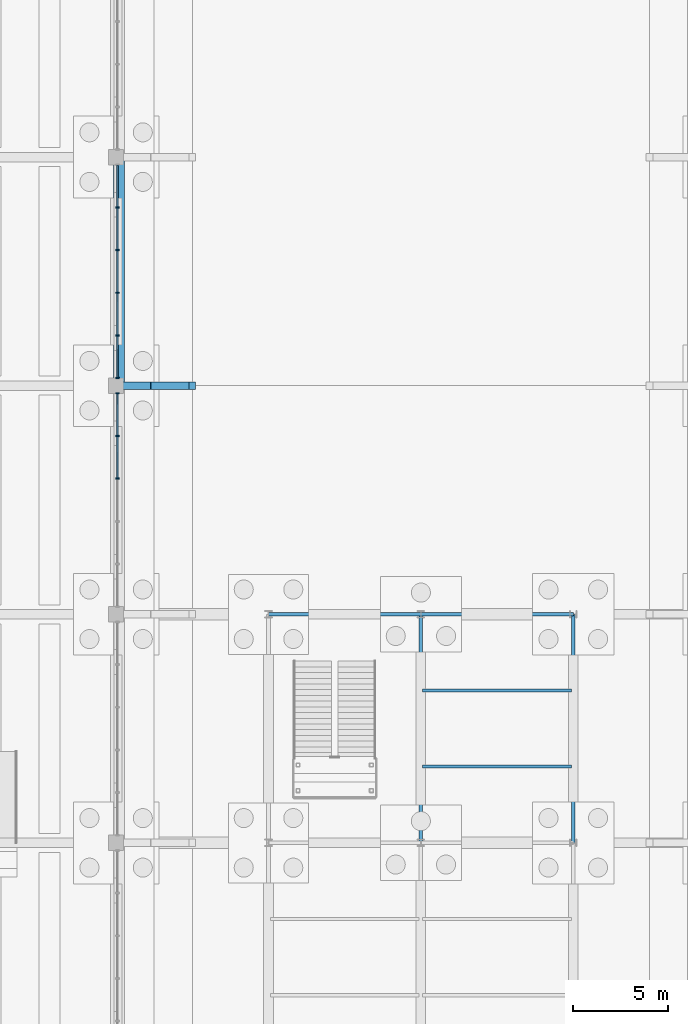
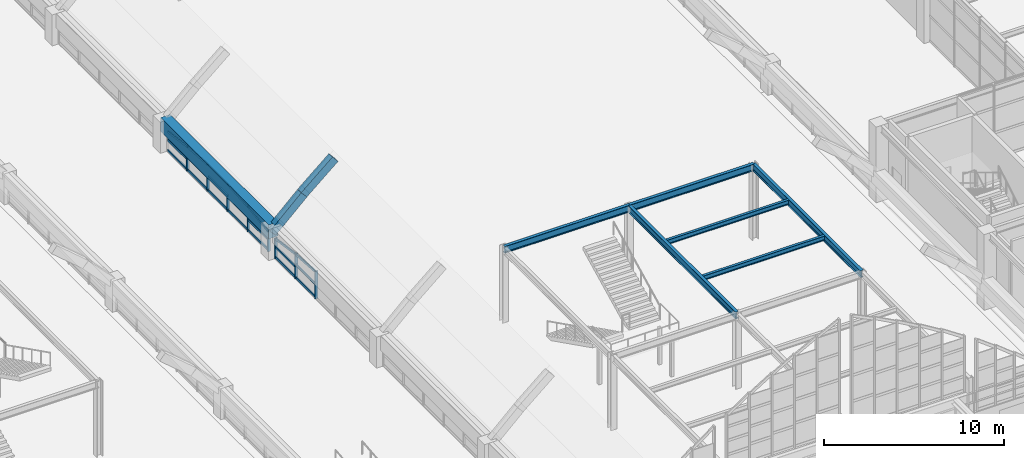
# One storey, part 45 of 129: 29 members, 9 beams, 2 elements without a shape of their own.
"""IFC4 building model written with IfcOpenShell, lengths in metres."""

import ifcopenshell
import ifcopenshell.guid

model = None  # the IFC model being written
_history = None  # IfcOwnerHistory: only IFC2X3 demands one
_inside = {}  # id of a spatial element -> (the spatial element, [elements in it])
_under = {}  # id of a project, library or spatial element -> (it, [spatial elements below it])
_declared = {}  # id of a project -> (the project, [libraries it declares])
_typed = {}  # id of a type object -> (the type object, [elements of that type])
_made_of = {}  # id of a material, layer set ... -> (it, [elements and type objects made of it])


def new_model(schema):
    """Start an empty IFC model of exactly this schema.

    Asked for "IFC4X3", IfcOpenShell would pick the latest addendum, in which some entities
    have other attributes; the version numbers below select the first issue.
    IFC2X3 requires an IfcOwnerHistory on every rooted entity: one is made here for all.
    """
    global model, _history
    if schema == "IFC4X3":
        model = ifcopenshell.file(schema_version=(4, 3, 0, 0))
    else:
        model = ifcopenshell.file(schema=schema)
    _inside.clear()
    _under.clear()
    _declared.clear()
    _typed.clear()
    _made_of.clear()
    _history = None
    if model.schema == "IFC2X3":
        org = make("IfcOrganization", Name="unknown")
        user = make(
            "IfcPersonAndOrganization",
            ThePerson=make("IfcPerson", FamilyName="unknown"),
            TheOrganization=org,
        )
        app = make(
            "IfcApplication",
            ApplicationDeveloper=org,
            Version="unknown",
            ApplicationFullName="unknown",
            ApplicationIdentifier="unknown",
        )
        _history = make(
            "IfcOwnerHistory",
            OwningUser=user,
            OwningApplication=app,
            ChangeAction="ADDED",
            CreationDate=0,
        )
    return model


def make(cls, **values):
    """One entity of the class cls with the attributes given. An attribute that is None is left unset."""
    return model.create_entity(
        cls, **{name: value for name, value in values.items() if value is not None}
    )


def rooted(cls, **values):
    """An entity with a GlobalId (a new one), such as an element, a storey or a relation."""
    return make(cls, GlobalId=ifcopenshell.guid.new(), OwnerHistory=_history, **values)


def si_unit(unit_type, name, prefix=None):
    """IfcSIUnit, for example si_unit("LENGTHUNIT", "METRE", prefix="MILLI")."""
    return make("IfcSIUnit", UnitType=unit_type, Prefix=prefix, Name=name)


def assignment(units):
    """IfcUnitAssignment: the units of a project."""
    return None if units is None else make("IfcUnitAssignment", Units=units)


def point(xyz):
    """IfcCartesianPoint."""
    return None if xyz is None else make("IfcCartesianPoint", Coordinates=xyz)


def direction(xyz):
    """IfcDirection."""
    return None if xyz is None else make("IfcDirection", DirectionRatios=xyz)


def frame(location, z_axis=None, x_axis=None):
    """IfcAxis2Placement3D, a coordinate frame: its origin and axes. An axis left out is left unset."""
    return make(
        "IfcAxis2Placement3D",
        Location=point(location),
        Axis=direction(z_axis),
        RefDirection=direction(x_axis),
    )


def frame_2d(location, x_axis=None):
    """IfcAxis2Placement2D, a coordinate frame in the plane: its origin and x axis."""
    return make(
        "IfcAxis2Placement2D", Location=point(location), RefDirection=direction(x_axis)
    )


def origin():
    """The frame at (0, 0, 0) with its axes left unset."""
    return frame((0.0, 0.0, 0.0))


def origin_2d():
    """The frame at (0, 0) in the plane with its x axis left unset."""
    return frame_2d((0.0, 0.0))


def place(relative_to, where):
    """IfcLocalPlacement: puts the frame where relative to a parent placement (None: the world)."""
    return make(
        "IfcLocalPlacement", PlacementRelTo=relative_to, RelativePlacement=where
    )


def context(
    kind, dimensions, precision=None, world=None, true_north=None, identifier=None
):
    """IfcGeometricRepresentationContext, for example the 3D "Model" context."""
    return make(
        "IfcGeometricRepresentationContext",
        ContextIdentifier=identifier,
        ContextType=kind,
        CoordinateSpaceDimension=dimensions,
        Precision=precision,
        WorldCoordinateSystem=world,
        TrueNorth=true_north,
    )


def subcontext(parent, identifier, kind, view, scale=None):
    """IfcGeometricRepresentationSubContext, for example "Body" below "Model"."""
    return make(
        "IfcGeometricRepresentationSubContext",
        ContextIdentifier=identifier,
        ContextType=kind,
        ParentContext=parent,
        TargetScale=scale,
        TargetView=view,
    )


def project(units=None, contexts=None):
    """IfcProject with its units and contexts."""
    return rooted(
        "IfcProject",
        Name="project",
        RepresentationContexts=contexts,
        UnitsInContext=assignment(units),
    )


def spatial(cls, under=None, at=None, **own):
    """A site, building, storey or space (cls), placed at a placement, below another one or the project."""
    s = rooted(cls, ObjectPlacement=at, **own)
    if under is not None:
        _under.setdefault(under.id(), (under, []))[1].append(s)
    return s


def profile(cls, at=None, kind="AREA", **sizes):
    """A parametric profile (cls). Its sizes go by their IFC names, for example OverallWidth=200.0."""
    return make(cls, ProfileType=kind, Position=at, **sizes)


def rectangle(**sizes):
    """IfcRectangleProfileDef."""
    return profile("IfcRectangleProfileDef", **sizes)


def i_section(**sizes):
    """IfcIShapeProfileDef."""
    return profile("IfcIShapeProfileDef", **sizes)


def extrude(swept, where, along, depth):
    """IfcExtrudedAreaSolid: the profile swept, set in the frame where, extruded along a direction by depth."""
    return make(
        "IfcExtrudedAreaSolid",
        SweptArea=swept,
        Position=where,
        ExtrudedDirection=direction(along),
        Depth=depth,
    )


def shape(context_of_items, identifier, shape_type, items):
    """IfcShapeRepresentation: the items that make up one representation, for example the "Body"."""
    return make(
        "IfcShapeRepresentation",
        ContextOfItems=context_of_items,
        RepresentationIdentifier=identifier,
        RepresentationType=shape_type,
        Items=items,
    )


def material(Name=None, Category=None):
    """IfcMaterial."""
    return make("IfcMaterial", Name=Name, Category=Category)


def layer(
    of_material, thickness, ventilated=None, Name=None, Category=None, Priority=None
):
    """IfcMaterialLayer: one layer of a wall or slab, of a material (None: an air gap)."""
    return make(
        "IfcMaterialLayer",
        Material=of_material,
        LayerThickness=thickness,
        IsVentilated=ventilated,
        Name=Name,
        Category=Category,
        Priority=Priority,
    )


def layer_set(layers, Name=None):
    """IfcMaterialLayerSet."""
    return make("IfcMaterialLayerSet", MaterialLayers=layers, LayerSetName=Name)


def material_profile(
    of_material, cross_section, Name=None, Category=None, Priority=None
):
    """IfcMaterialProfile: a cross section and its material."""
    return make(
        "IfcMaterialProfile",
        Name=Name,
        Material=of_material,
        Profile=cross_section,
        Priority=Priority,
        Category=Category,
    )


def profile_set(profiles, Name=None, composite=None):
    """IfcMaterialProfileSet."""
    return make(
        "IfcMaterialProfileSet",
        Name=Name,
        MaterialProfiles=profiles,
        CompositeProfile=composite,
    )


def made_of(thing, what):
    """Note that an element or type object is made of a material, layer set ...; save() writes the relation."""
    if what is not None:
        _made_of.setdefault(what.id(), (what, []))[1].append(thing)
    return thing


def type_object(cls, material=None, **own):
    """A type object (cls), such as IfcWallType, which elements share."""
    return made_of(rooted(cls, **own), material)


def element(
    cls,
    number,
    at=None,
    inside=None,
    cuts=None,
    type_object=None,
    material=None,
    context=None,
    identifier="Body",
    shape_type=None,
    held_by="IfcProductDefinitionShape",
    body=None,
    shapes=None,
    **own,
):
    """One element of the class cls, such as IfcWall. Its Tag is "e" and its number.

    at: its placement. inside: the storey or other place that contains it. cuts: it is an
    opening in that element (IfcRelVoidsElement). A single representation is given by context,
    identifier, shape_type and body (its items); several are given by shapes. held_by: the class
    of the entity that holds the representations. save() writes the other relations.
    """
    e = rooted(cls, Tag="e%d" % number, ObjectPlacement=at, **own)
    if body is not None:
        shapes = [shape(context, identifier, shape_type, body)]
    if shapes is not None:
        e.Representation = make(held_by, Representations=shapes)
    if inside is not None:
        _inside.setdefault(inside.id(), (inside, []))[1].append(e)
    if cuts is not None:
        rooted(
            "IfcRelVoidsElement", RelatingBuildingElement=cuts, RelatedOpeningElement=e
        )
    if type_object is not None:
        _typed.setdefault(type_object.id(), (type_object, []))[1].append(e)
    return made_of(e, material)


def aggregate(whole, parts):
    """IfcRelAggregates: a whole, such as a stair, and the parts it consists of."""
    return rooted("IfcRelAggregates", RelatingObject=whole, RelatedObjects=parts)


def save(model, path):
    """Write the relations noted so far, then the file.

    IfcRelAggregates (storeys below a building ...), IfcRelContainedInSpatialStructure (elements
    in a storey), IfcRelDefinesByType, IfcRelAssociatesMaterial and IfcRelDeclares: one each for
    every whole, place, type object, material and project.
    """
    for whole, parts in _under.values():
        aggregate(whole, parts)
    for where, things in _inside.values():
        rooted(
            "IfcRelContainedInSpatialStructure",
            RelatedElements=things,
            RelatingStructure=where,
        )
    for kind, things in _typed.values():
        rooted("IfcRelDefinesByType", RelatedObjects=things, RelatingType=kind)
    for what, things in _made_of.values():
        rooted("IfcRelAssociatesMaterial", RelatedObjects=things, RelatingMaterial=what)
    for by, libraries in _declared.values():
        rooted("IfcRelDeclares", RelatingContext=by, RelatedDefinitions=libraries)
    model.write(path)


model = new_model("IFC4")

# Units and contexts
model_context = context("Model", 3, precision=1e-05, world=origin(), true_north=direction((0.0, 1.0)))
body_context = subcontext(model_context, "Body", "Model", "MODEL_VIEW")
ifc_project = project(units=[si_unit("LENGTHUNIT", "METRE"), si_unit("AREAUNIT", "SQUARE_METRE"), si_unit("VOLUMEUNIT", "CUBIC_METRE"), si_unit("PLANEANGLEUNIT", "RADIAN"), si_unit("MASSUNIT", "GRAM", prefix="KILO")], contexts=[model_context])

# Site, building, storey
site_placement = place(None, origin())
site = spatial("IfcSite", under=ifc_project, at=site_placement, CompositionType="ELEMENT")
building_placement = place(site_placement, origin())
building = spatial("IfcBuilding", under=site, at=building_placement, Name="Sitalva Quay Ferry Terminal", CompositionType="ELEMENT")
storey_placement = place(building_placement, origin())
storey = spatial("IfcBuildingStorey", under=building, at=storey_placement, Name="L01", CompositionType="ELEMENT", Elevation=0.0)

# Beams
ifc_material_1 = material(Name="Concrete C40/50", Category="concrete")
ifc_material_profile_1 = material_profile(ifc_material_1, rectangle(XDim=0.39990234375, YDim=0.550048828125, at=origin_2d()), Name="RC400x550")
ifc_profile_set_1 = profile_set([ifc_material_profile_1], Name="Concrete C40/50")
beam_type_1 = type_object("IfcBeamType", Name="Beam_Arch_RC400x550", PredefinedType="BEAM", material=ifc_profile_set_1)
beam_1_placement = place(storey_placement, frame((42.0, 42.0, 1.6044921875), z_axis=(0.725680279623, 0.0, 0.688032071757), x_axis=(0.0, 1.0, 0.0)))
element("IfcBeam", 1, at=beam_1_placement, inside=storey, type_object=beam_type_1, Name="Vault V1 transverse arch rib 4.1", PredefinedType="BEAM", context=body_context, shape_type="SweptSolid", body=[
    extrude(rectangle(XDim=0.39990234375, YDim=0.550048828125, at=origin_2d()), origin(), (0.0, 0.0, 1.0), 2.756103515625),
])
beam_2_placement = place(storey_placement, frame((44.0, 42.0, 3.5107421875), z_axis=(0.760297282494, 0.0, 0.649575278342), x_axis=(0.0, 1.0, 0.0)))
element("IfcBeam", 2, at=beam_2_placement, inside=storey, type_object=beam_type_1, Name="Vault V1 transverse arch rib 4.2", PredefinedType="BEAM", context=body_context, shape_type="SweptSolid", body=[
    extrude(rectangle(XDim=0.39990234375, YDim=0.550048828125, at=origin_2d()), origin(), (0.0, 0.0, 1.0), 2.630615234375),
])
ifc_material_2 = material(Name="Concrete C40/50", Category="concrete")
ifc_material_profile_2 = material_profile(ifc_material_2, rectangle(XDim=0.60009765625, YDim=0.949951171875, at=origin_2d()), Name="RC600x950")
ifc_profile_set_2 = profile_set([ifc_material_profile_2], Name="Concrete C40/50")
beam_type_2 = type_object("IfcBeamType", Name="Beam_Edge_RC600x950", PredefinedType="BEAM", material=ifc_profile_set_2)
beam_3_placement = place(storey_placement, frame((42.14990234375, 42.0, 1.625), z_axis=(0.0, 1.0, 0.0), x_axis=(-1.0, 0.0, 0.0)))
element("IfcBeam", 3, at=beam_3_placement, inside=storey, type_object=beam_type_2, Name="Vault V1 longitudinal springing edge beam W bay 4", PredefinedType="BEAM", context=body_context, shape_type="SweptSolid", body=[
    extrude(rectangle(XDim=0.60009765625, YDim=0.949951171875, at=origin_2d()), origin(), (0.0, 0.0, 1.0), 12.0),
])
ifc_material_3 = material(Name="Structural Steel S355JR", Category="steel")
ifc_material_profile_3 = material_profile(ifc_material_3, i_section(OverallWidth=0.194091796875, OverallDepth=0.468994140625, WebThickness=0.0126953125, FlangeThickness=0.0205078125, FilletRadius=0.013916015625, at=origin_2d()), Name="W460x106")
ifc_profile_set_3 = profile_set([ifc_material_profile_3], Name="Structural Steel S355JR")
beam_type_3 = type_object("IfcBeamType", Name="Girder_W460x106", PredefinedType="USERDEFINED", material=ifc_profile_set_3)
for number, where, z_axis, x_axis, name in (
    (4, (50.0, 30.0, 4.885498046875), (1.0, 0.0, 0.0), (0.0, 1.0, 0.0), "L01 Primary X girder 0132"),
    (5, (58.0, 30.0, 4.885498046875), (1.0, 0.0, 0.0), (0.0, 1.0, 0.0), "L01 Primary X girder 0133"),
):
    element("IfcBeam", number, at=place(storey_placement, frame(where, z_axis=z_axis, x_axis=x_axis)), inside=storey, type_object=beam_type_3, Name=name, ObjectType="GIRDER", PredefinedType="USERDEFINED", context=body_context, shape_type="SweptSolid", body=[
        extrude(i_section(OverallWidth=0.194091796875, OverallDepth=0.468994140625, WebThickness=0.0126953125, FlangeThickness=0.0205078125, FilletRadius=0.013916015625, at=origin_2d()), origin(), (0.0, 0.0, 1.0), 8.0),
    ])
for number, where, z_axis, x_axis, name in (
    (6, (58.0, 18.0, 4.885498046875), (0.0, 1.0, 0.0), (-1.0, 0.0, 0.0), "L01 Primary Y girder 0137"),
    (7, (66.0, 18.0, 4.885498046875), (0.0, 1.0, 0.0), (-1.0, 0.0, 0.0), "L01 Primary Y girder 0139"),
):
    element("IfcBeam", number, at=place(storey_placement, frame(where, z_axis=z_axis, x_axis=x_axis)), inside=storey, type_object=beam_type_3, Name=name, ObjectType="GIRDER", PredefinedType="USERDEFINED", context=body_context, shape_type="SweptSolid", body=[
        extrude(i_section(OverallWidth=0.194091796875, OverallDepth=0.468994140625, WebThickness=0.0126953125, FlangeThickness=0.0205078125, FilletRadius=0.013916015625, at=origin_2d()), origin(), (0.0, 0.0, 1.0), 12.0),
    ])
ifc_material_4 = material(Name="Structural Steel S355JR", Category="steel")
ifc_material_profile_4 = material_profile(ifc_material_4, i_section(OverallWidth=0.166015625, OverallDepth=0.31298828125, WebThickness=0.006591796875, FlangeThickness=0.01123046875, FilletRadius=0.010986328125, at=origin_2d()), Name="W310x45")
ifc_profile_set_4 = profile_set([ifc_material_profile_4], Name="Structural Steel S355JR")
beam_type_4 = type_object("IfcBeamType", Name="Joist_W310x45", PredefinedType="JOIST", material=ifc_profile_set_4)
for number, where, z_axis, x_axis, name in (
    (8, (58.096923828125, 22.0, 4.96337890625), (1.0, 0.0, 0.0), (0.0, 1.0, 0.0), "L01 Secondary joist 0144"),
    (9, (58.096923828125, 26.0, 4.96337890625), (1.0, 0.0, 0.0), (0.0, 1.0, 0.0), "L01 Secondary joist 0145"),
):
    element("IfcBeam", number, at=place(storey_placement, frame(where, z_axis=z_axis, x_axis=x_axis)), inside=storey, type_object=beam_type_4, Name=name, PredefinedType="JOIST", context=body_context, shape_type="SweptSolid", body=[
        extrude(i_section(OverallWidth=0.166015625, OverallDepth=0.31298828125, WebThickness=0.006591796875, FlangeThickness=0.01123046875, FilletRadius=0.010986328125, at=origin_2d()), origin(), (0.0, 0.0, 1.0), 7.80615234375),
    ])

# Curtain wall, members
ifc_material_5 = material(Name="Anodised Aluminium & Low-E Glazing", Category="aluminium")
ifc_layer = layer(ifc_material_5, 0.159912109375)
ifc_layer_set = layer_set([ifc_layer], Name="Anodised Aluminium & Low-E Glazing")
curtain_wall_type = type_object("IfcCurtainWallType", Name="CW_VaultArch_Glazed", PredefinedType="USERDEFINED", material=ifc_layer_set)
curtain_wall_1_placement = place(storey_placement, origin())
curtain_wall_1 = element("IfcCurtainWall", 10, at=curtain_wall_1_placement, inside=storey, type_object=curtain_wall_type, Name="V1-W shallow-arch base glazing (CW-L01-020)", ObjectType="CURTAIN_WALL", PredefinedType="USERDEFINED")
ifc_material_6 = material(Name="Anodised Aluminium 6063-T6", Category="aluminium")
ifc_material_profile_5 = material_profile(ifc_material_6, rectangle(XDim=0.070068359375, YDim=0.181884765625, at=origin_2d()), Name="ALU70x182")
ifc_profile_set_5 = profile_set([ifc_material_profile_5], Name="Anodised Aluminium 6063-T6")
member_type_1 = type_object("IfcMemberType", Name="Mullion_Alu_65x170", PredefinedType="MULLION", material=ifc_profile_set_5)
member_1_placement = place(storey_placement, frame((42.080078125, 37.1201171875, 0.0), z_axis=(0.0, 0.0, 1.0), x_axis=(0.0, 1.0, 0.0)))
member_1 = element("IfcMember", 11, at=member_1_placement, type_object=member_type_1, Name="CW-L01-020-M3", PredefinedType="MULLION", context=body_context, shape_type="SweptSolid", body=[
    extrude(rectangle(XDim=0.070068359375, YDim=0.181884765625, at=origin_2d()), origin(), (0.0, 0.0, 1.0), 1.86083984375),
])
member_2_placement = place(storey_placement, frame((42.080078125, 39.360107421875, 0.0), z_axis=(0.0, 0.0, 1.0), x_axis=(0.0, 1.0, 0.0)))
member_2 = element("IfcMember", 12, at=member_2_placement, type_object=member_type_1, Name="CW-L01-020-M4", PredefinedType="MULLION", context=body_context, shape_type="SweptSolid", body=[
    extrude(rectangle(XDim=0.070068359375, YDim=0.181884765625, at=origin_2d()), origin(), (0.0, 0.0, 1.0), 1.707275390625),
])
member_3_placement = place(storey_placement, frame((42.080078125, 41.60009765625, 0.0), z_axis=(0.0, 0.0, 1.0), x_axis=(0.0, 1.0, 0.0)))
member_3 = element("IfcMember", 13, at=member_3_placement, type_object=member_type_1, Name="CW-L01-020-M5", PredefinedType="MULLION", context=body_context, shape_type="SweptSolid", body=[
    extrude(rectangle(XDim=0.070068359375, YDim=0.181884765625, at=origin_2d()), origin(), (0.0, 0.0, 1.0), 1.39990234375),
])

curtain_wall_2_placement = place(storey_placement, origin())
curtain_wall_2 = element("IfcCurtainWall", 14, at=curtain_wall_2_placement, inside=storey, type_object=curtain_wall_type, Name="V1-W shallow-arch base glazing (CW-L01-023)", ObjectType="CURTAIN_WALL", PredefinedType="USERDEFINED")
member_4_placement = place(storey_placement, frame((42.080078125, 42.39990234375, 0.0), z_axis=(0.0, 0.0, 1.0), x_axis=(0.0, 1.0, 0.0)))
member_4 = element("IfcMember", 15, at=member_4_placement, type_object=member_type_1, Name="CW-L01-023-M0", PredefinedType="MULLION", context=body_context, shape_type="SweptSolid", body=[
    extrude(rectangle(XDim=0.070068359375, YDim=0.181884765625, at=origin_2d()), origin(), (0.0, 0.0, 1.0), 1.39990234375),
])
member_5_placement = place(storey_placement, frame((42.080078125, 44.639892578125, 0.0), z_axis=(0.0, 0.0, 1.0), x_axis=(0.0, 1.0, 0.0)))
member_5 = element("IfcMember", 16, at=member_5_placement, type_object=member_type_1, Name="CW-L01-023-M1", PredefinedType="MULLION", context=body_context, shape_type="SweptSolid", body=[
    extrude(rectangle(XDim=0.070068359375, YDim=0.181884765625, at=origin_2d()), origin(), (0.0, 0.0, 1.0), 1.707275390625),
])
member_6_placement = place(storey_placement, frame((42.080078125, 46.8798828125, 0.0), z_axis=(0.0, 0.0, 1.0), x_axis=(0.0, 1.0, 0.0)))
member_6 = element("IfcMember", 17, at=member_6_placement, type_object=member_type_1, Name="CW-L01-023-M2", PredefinedType="MULLION", context=body_context, shape_type="SweptSolid", body=[
    extrude(rectangle(XDim=0.070068359375, YDim=0.181884765625, at=origin_2d()), origin(), (0.0, 0.0, 1.0), 1.86083984375),
])
member_7_placement = place(storey_placement, frame((42.080078125, 49.1201171875, 0.0), z_axis=(0.0, 0.0, 1.0), x_axis=(0.0, 1.0, 0.0)))
member_7 = element("IfcMember", 18, at=member_7_placement, type_object=member_type_1, Name="CW-L01-023-M3", PredefinedType="MULLION", context=body_context, shape_type="SweptSolid", body=[
    extrude(rectangle(XDim=0.070068359375, YDim=0.181884765625, at=origin_2d()), origin(), (0.0, 0.0, 1.0), 1.86083984375),
])
member_8_placement = place(storey_placement, frame((42.080078125, 51.360107421875, 0.0), z_axis=(0.0, 0.0, 1.0), x_axis=(0.0, 1.0, 0.0)))
member_8 = element("IfcMember", 19, at=member_8_placement, type_object=member_type_1, Name="CW-L01-023-M4", PredefinedType="MULLION", context=body_context, shape_type="SweptSolid", body=[
    extrude(rectangle(XDim=0.070068359375, YDim=0.181884765625, at=origin_2d()), origin(), (0.0, 0.0, 1.0), 1.707275390625),
])

# Member
ifc_material_7 = material(Name="Anodised Aluminium 6063-T6", Category="aluminium")
ifc_material_profile_6 = material_profile(ifc_material_7, rectangle(XDim=0.074951171875, YDim=0.155029296875, at=origin_2d()), Name="ALU75x155")
ifc_profile_set_6 = profile_set([ifc_material_profile_6], Name="Anodised Aluminium 6063-T6")
member_type_2 = type_object("IfcMemberType", Name="Transom_Alu_70x135", PredefinedType="MULLION", material=ifc_profile_set_6)
member_9_placement = place(storey_placement, frame((42.080078125, 37.155029296875, 0.077392578125), z_axis=(0.0, 1.0, 0.0), x_axis=(-1.0, 0.0, 0.0)))
member_9 = element("IfcMember", 20, at=member_9_placement, type_object=member_type_2, Name="CW-L01-020-T3-0", ObjectType="TRANSOM", PredefinedType="USERDEFINED", context=body_context, shape_type="SweptSolid", body=[
    extrude(rectangle(XDim=0.074951171875, YDim=0.155029296875, at=origin_2d()), origin(), (0.0, 0.0, 1.0), 2.169921875),
])

member_10_placement = place(storey_placement, frame((42.080078125, 37.155029296875, 0.93115234375), z_axis=(0.0, 1.0, 0.0), x_axis=(-1.0, 0.0, 0.0)))
member_10 = element("IfcMember", 21, at=member_10_placement, type_object=member_type_2, Name="CW-L01-020-T3-1", ObjectType="TRANSOM", PredefinedType="USERDEFINED", context=body_context, shape_type="SweptSolid", body=[
    extrude(rectangle(XDim=0.074951171875, YDim=0.155029296875, at=origin_2d()), origin(), (0.0, 0.0, 1.0), 2.169921875),
])

member_11_placement = place(storey_placement, frame((42.080078125, 37.155029296875, 1.783203125), z_axis=(0.0, 0.997505200677, -0.070593021065), x_axis=(-1.0, 0.0, 0.0)))
member_11 = element("IfcMember", 22, at=member_11_placement, type_object=member_type_2, Name="CW-L01-020-T3-2", ObjectType="TRANSOM", PredefinedType="USERDEFINED", context=body_context, shape_type="SweptSolid", body=[
    extrude(rectangle(XDim=0.074951171875, YDim=0.155029296875, at=origin_2d()), origin(), (0.0, 0.0, 1.0), 2.17529296875),
])

member_12_placement = place(storey_placement, frame((42.080078125, 39.39501953125, 0.077392578125), z_axis=(0.0, 1.0, 0.0), x_axis=(-1.0, 0.0, 0.0)))
member_12 = element("IfcMember", 23, at=member_12_placement, type_object=member_type_2, Name="CW-L01-020-T4-0", ObjectType="TRANSOM", PredefinedType="USERDEFINED", context=body_context, shape_type="SweptSolid", body=[
    extrude(rectangle(XDim=0.074951171875, YDim=0.155029296875, at=origin_2d()), origin(), (0.0, 0.0, 1.0), 2.169921875),
])

member_13_placement = place(storey_placement, frame((42.080078125, 39.39501953125, 0.777587890625), z_axis=(0.0, 1.0, 0.0), x_axis=(-1.0, 0.0, 0.0)))
member_13 = element("IfcMember", 24, at=member_13_placement, type_object=member_type_2, Name="CW-L01-020-T4-1", ObjectType="TRANSOM", PredefinedType="USERDEFINED", context=body_context, shape_type="SweptSolid", body=[
    extrude(rectangle(XDim=0.074951171875, YDim=0.155029296875, at=origin_2d()), origin(), (0.0, 0.0, 1.0), 2.169921875),
])

member_14_placement = place(storey_placement, frame((42.080078125, 39.39501953125, 1.629638671875), z_axis=(0.0, 0.990131365095, -0.140142355681), x_axis=(-1.0, 0.0, 0.0)))
member_14 = element("IfcMember", 25, at=member_14_placement, type_object=member_type_2, Name="CW-L01-020-T4-2", ObjectType="TRANSOM", PredefinedType="USERDEFINED", context=body_context, shape_type="SweptSolid", body=[
    extrude(rectangle(XDim=0.074951171875, YDim=0.155029296875, at=origin_2d()), origin(), (0.0, 0.0, 1.0), 2.191650390625),
])

aggregate(curtain_wall_1, [member_1, member_2, member_3, member_9, member_10, member_11, member_12, member_13, member_14])

member_15_placement = place(storey_placement, frame((42.080078125, 42.43505859375, 0.077392578125), z_axis=(0.0, 1.0, 0.0), x_axis=(-1.0, 0.0, 0.0)))
member_15 = element("IfcMember", 26, at=member_15_placement, type_object=member_type_2, Name="CW-L01-023-T0-0", ObjectType="TRANSOM", PredefinedType="USERDEFINED", context=body_context, shape_type="SweptSolid", body=[
    extrude(rectangle(XDim=0.074951171875, YDim=0.155029296875, at=origin_2d()), origin(), (0.0, 0.0, 1.0), 2.169921875),
])

member_16_placement = place(storey_placement, frame((42.080078125, 42.43505859375, 0.777587890625), z_axis=(0.0, 1.0, 0.0), x_axis=(-1.0, 0.0, 0.0)))
member_16 = element("IfcMember", 27, at=member_16_placement, type_object=member_type_2, Name="CW-L01-023-T0-1", ObjectType="TRANSOM", PredefinedType="USERDEFINED", context=body_context, shape_type="SweptSolid", body=[
    extrude(rectangle(XDim=0.074951171875, YDim=0.155029296875, at=origin_2d()), origin(), (0.0, 0.0, 1.0), 2.169921875),
])

member_17_placement = place(storey_placement, frame((42.080078125, 42.43505859375, 1.322509765625), z_axis=(0.0, 0.990131365095, 0.140142355681), x_axis=(-1.0, 0.0, 0.0)))
member_17 = element("IfcMember", 28, at=member_17_placement, type_object=member_type_2, Name="CW-L01-023-T0-2", ObjectType="TRANSOM", PredefinedType="USERDEFINED", context=body_context, shape_type="SweptSolid", body=[
    extrude(rectangle(XDim=0.074951171875, YDim=0.155029296875, at=origin_2d()), origin(), (0.0, 0.0, 1.0), 2.191650390625),
])

member_18_placement = place(storey_placement, frame((42.080078125, 44.675048828125, 0.077392578125), z_axis=(0.0, 1.0, 0.0), x_axis=(-1.0, 0.0, 0.0)))
member_18 = element("IfcMember", 29, at=member_18_placement, type_object=member_type_2, Name="CW-L01-023-T1-0", ObjectType="TRANSOM", PredefinedType="USERDEFINED", context=body_context, shape_type="SweptSolid", body=[
    extrude(rectangle(XDim=0.074951171875, YDim=0.155029296875, at=origin_2d()), origin(), (0.0, 0.0, 1.0), 2.169921875),
])

member_19_placement = place(storey_placement, frame((42.080078125, 44.675048828125, 0.93115234375), z_axis=(0.0, 1.0, 0.0), x_axis=(-1.0, 0.0, 0.0)))
member_19 = element("IfcMember", 30, at=member_19_placement, type_object=member_type_2, Name="CW-L01-023-T1-1", ObjectType="TRANSOM", PredefinedType="USERDEFINED", context=body_context, shape_type="SweptSolid", body=[
    extrude(rectangle(XDim=0.074951171875, YDim=0.155029296875, at=origin_2d()), origin(), (0.0, 0.0, 1.0), 2.169921875),
])

member_20_placement = place(storey_placement, frame((42.080078125, 44.675048828125, 1.629638671875), z_axis=(0.0, 0.997505200677, 0.070593021065), x_axis=(-1.0, 0.0, 0.0)))
member_20 = element("IfcMember", 31, at=member_20_placement, type_object=member_type_2, Name="CW-L01-023-T1-2", ObjectType="TRANSOM", PredefinedType="USERDEFINED", context=body_context, shape_type="SweptSolid", body=[
    extrude(rectangle(XDim=0.074951171875, YDim=0.155029296875, at=origin_2d()), origin(), (0.0, 0.0, 1.0), 2.17529296875),
])

member_21_placement = place(storey_placement, frame((42.080078125, 46.9150390625, 0.077392578125), z_axis=(0.0, 1.0, 0.0), x_axis=(-1.0, 0.0, 0.0)))
member_21 = element("IfcMember", 32, at=member_21_placement, type_object=member_type_2, Name="CW-L01-023-T2-0", ObjectType="TRANSOM", PredefinedType="USERDEFINED", context=body_context, shape_type="SweptSolid", body=[
    extrude(rectangle(XDim=0.074951171875, YDim=0.155029296875, at=origin_2d()), origin(), (0.0, 0.0, 1.0), 2.169921875),
])

member_22_placement = place(storey_placement, frame((42.080078125, 46.9150390625, 1.0078125), z_axis=(0.0, 1.0, 0.0), x_axis=(-1.0, 0.0, 0.0)))
member_22 = element("IfcMember", 33, at=member_22_placement, type_object=member_type_2, Name="CW-L01-023-T2-1", ObjectType="TRANSOM", PredefinedType="USERDEFINED", context=body_context, shape_type="SweptSolid", body=[
    extrude(rectangle(XDim=0.074951171875, YDim=0.155029296875, at=origin_2d()), origin(), (0.0, 0.0, 1.0), 2.169921875),
])

member_23_placement = place(storey_placement, frame((42.080078125, 46.9150390625, 1.783203125), z_axis=(0.0, 1.0, 0.0), x_axis=(-1.0, 0.0, 0.0)))
member_23 = element("IfcMember", 34, at=member_23_placement, type_object=member_type_2, Name="CW-L01-023-T2-2", ObjectType="TRANSOM", PredefinedType="USERDEFINED", context=body_context, shape_type="SweptSolid", body=[
    extrude(rectangle(XDim=0.074951171875, YDim=0.155029296875, at=origin_2d()), origin(), (0.0, 0.0, 1.0), 2.169921875),
])

member_24_placement = place(storey_placement, frame((42.080078125, 49.155029296875, 0.077392578125), z_axis=(0.0, 1.0, 0.0), x_axis=(-1.0, 0.0, 0.0)))
member_24 = element("IfcMember", 35, at=member_24_placement, type_object=member_type_2, Name="CW-L01-023-T3-0", ObjectType="TRANSOM", PredefinedType="USERDEFINED", context=body_context, shape_type="SweptSolid", body=[
    extrude(rectangle(XDim=0.074951171875, YDim=0.155029296875, at=origin_2d()), origin(), (0.0, 0.0, 1.0), 2.169921875),
])

member_25_placement = place(storey_placement, frame((42.080078125, 49.155029296875, 0.93115234375), z_axis=(0.0, 1.0, 0.0), x_axis=(-1.0, 0.0, 0.0)))
member_25 = element("IfcMember", 36, at=member_25_placement, type_object=member_type_2, Name="CW-L01-023-T3-1", ObjectType="TRANSOM", PredefinedType="USERDEFINED", context=body_context, shape_type="SweptSolid", body=[
    extrude(rectangle(XDim=0.074951171875, YDim=0.155029296875, at=origin_2d()), origin(), (0.0, 0.0, 1.0), 2.169921875),
])

member_26_placement = place(storey_placement, frame((42.080078125, 49.155029296875, 1.783203125), z_axis=(0.0, 0.997505200677, -0.070593021065), x_axis=(-1.0, 0.0, 0.0)))
member_26 = element("IfcMember", 37, at=member_26_placement, type_object=member_type_2, Name="CW-L01-023-T3-2", ObjectType="TRANSOM", PredefinedType="USERDEFINED", context=body_context, shape_type="SweptSolid", body=[
    extrude(rectangle(XDim=0.074951171875, YDim=0.155029296875, at=origin_2d()), origin(), (0.0, 0.0, 1.0), 2.17529296875),
])

member_27_placement = place(storey_placement, frame((42.080078125, 51.39501953125, 0.077392578125), z_axis=(0.0, 1.0, 0.0), x_axis=(-1.0, 0.0, 0.0)))
member_27 = element("IfcMember", 38, at=member_27_placement, type_object=member_type_2, Name="CW-L01-023-T4-0", ObjectType="TRANSOM", PredefinedType="USERDEFINED", context=body_context, shape_type="SweptSolid", body=[
    extrude(rectangle(XDim=0.074951171875, YDim=0.155029296875, at=origin_2d()), origin(), (0.0, 0.0, 1.0), 2.169921875),
])

member_28_placement = place(storey_placement, frame((42.080078125, 51.39501953125, 0.777587890625), z_axis=(0.0, 1.0, 0.0), x_axis=(-1.0, 0.0, 0.0)))
member_28 = element("IfcMember", 39, at=member_28_placement, type_object=member_type_2, Name="CW-L01-023-T4-1", ObjectType="TRANSOM", PredefinedType="USERDEFINED", context=body_context, shape_type="SweptSolid", body=[
    extrude(rectangle(XDim=0.074951171875, YDim=0.155029296875, at=origin_2d()), origin(), (0.0, 0.0, 1.0), 2.169921875),
])

member_29_placement = place(storey_placement, frame((42.080078125, 51.39501953125, 1.629638671875), z_axis=(0.0, 0.990131365095, -0.140142355681), x_axis=(-1.0, 0.0, 0.0)))
member_29 = element("IfcMember", 40, at=member_29_placement, type_object=member_type_2, Name="CW-L01-023-T4-2", ObjectType="TRANSOM", PredefinedType="USERDEFINED", context=body_context, shape_type="SweptSolid", body=[
    extrude(rectangle(XDim=0.074951171875, YDim=0.155029296875, at=origin_2d()), origin(), (0.0, 0.0, 1.0), 2.191650390625),
])

aggregate(curtain_wall_2, [member_4, member_5, member_6, member_7, member_8, member_15, member_16, member_17, member_18, member_19, member_20, member_21, member_22, member_23, member_24, member_25, member_26, member_27, member_28, member_29])

save(model, "model.ifc")
